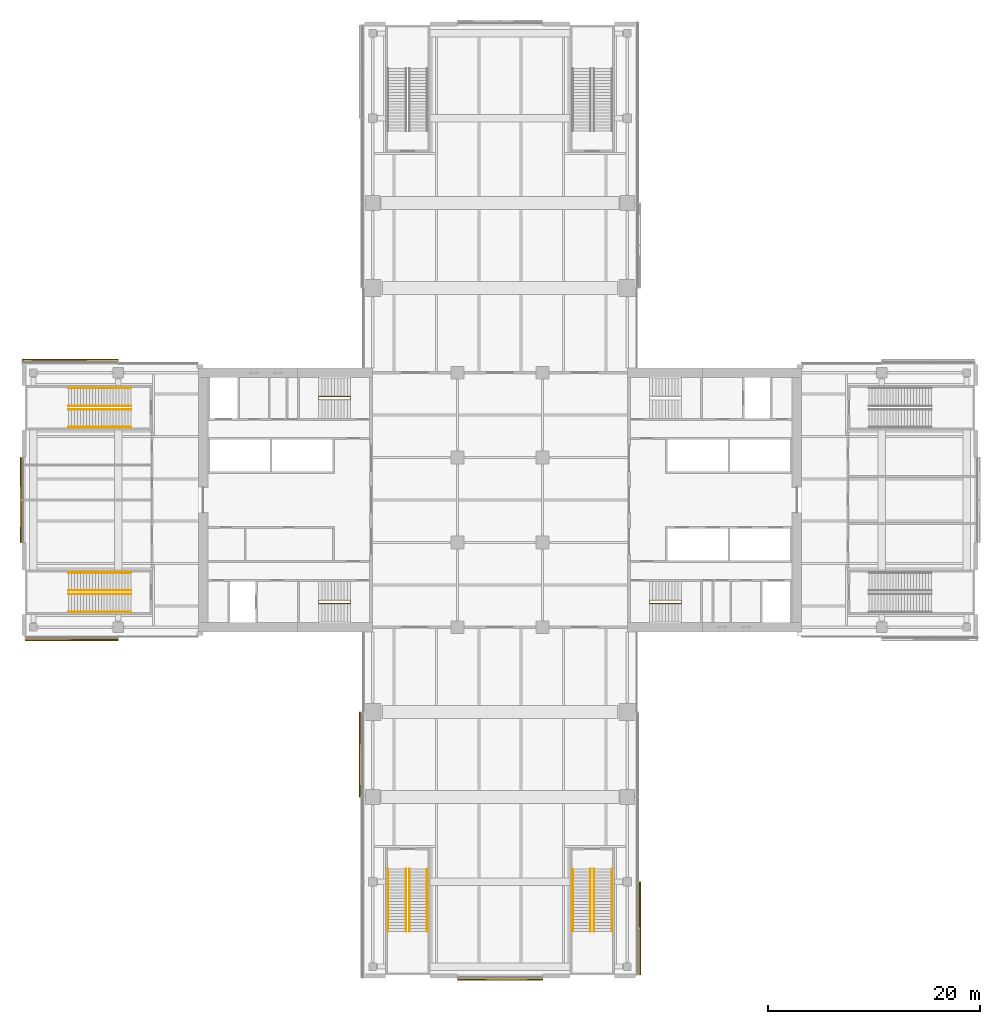
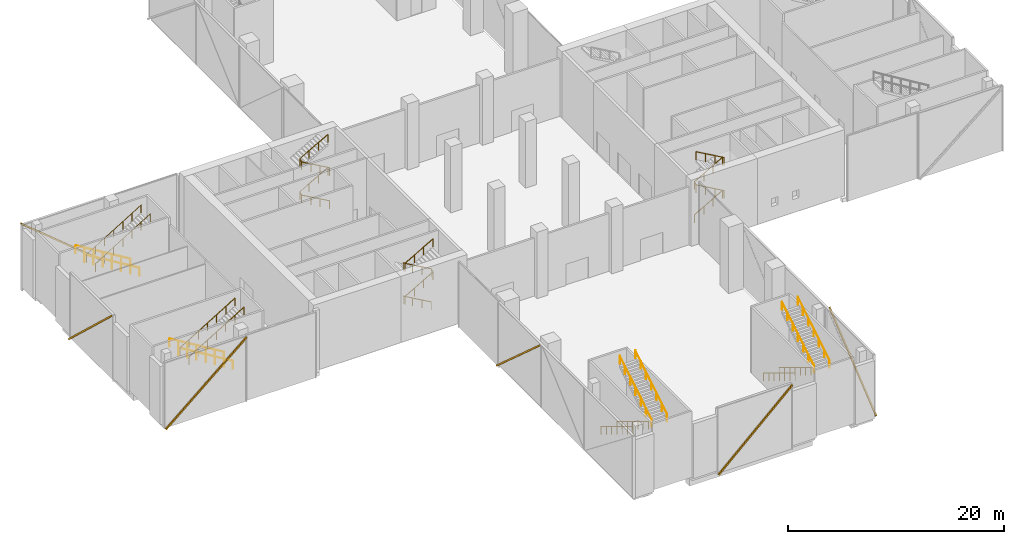
# One storey, part 24 of 25: 19 railings, 6 shading devices, 6 elements without a shape of their own.
"""IFC4 building model written with IfcOpenShell, lengths in metres."""

from ifc_helpers import new_model, si_unit, direction, frame, origin, origin_2d, place, context, subcontext, project, spatial, rectangle, circle, extrude, material, material_profile, profile_set, type_object, element, aggregate, save


model = new_model("IFC4")

# Units and contexts
model_context = context("Model", 3, precision=1e-05, world=origin(), true_north=direction((0.0, 1.0)))
body_context = subcontext(model_context, "Body", "Model", "MODEL_VIEW")
ifc_project = project(units=[si_unit("LENGTHUNIT", "METRE"), si_unit("AREAUNIT", "SQUARE_METRE"), si_unit("VOLUMEUNIT", "CUBIC_METRE"), si_unit("PLANEANGLEUNIT", "RADIAN"), si_unit("MASSUNIT", "GRAM", prefix="KILO")], contexts=[model_context])

# Site, building, storey
site_placement = place(None, origin())
site = spatial("IfcSite", under=ifc_project, at=site_placement, CompositionType="ELEMENT")
building_placement = place(site_placement, origin())
building = spatial("IfcBuilding", under=site, at=building_placement, Name="Crosswind Convention Tower", CompositionType="ELEMENT")
storey_placement = place(building_placement, frame((0.0, 0.0, 10.0)))
storey = spatial("IfcBuildingStorey", under=building, at=storey_placement, Name="L01", CompositionType="ELEMENT", Elevation=10.0)

# Railings
ifc_material_1 = material(Name="Stainless steel", Category="steel")
railing_type_1 = type_object("IfcRailingType", Name="STAIR HANDRAIL 900", PredefinedType="HANDRAIL", material=ifc_material_1)
for number, where, name in (
    (1, (114.4599609375, 65.199951171875, 0.17041015625), "Handrail S1 L01 1"),
    (2, (116.139892578125, 65.199951171875, 0.17041015625), "Handrail S1 L01 2"),
):
    element("IfcRailing", number, at=place(storey_placement, frame(where)), inside=storey, type_object=railing_type_1, Name=name, PredefinedType="HANDRAIL", context=body_context, shape_type="SweptSolid", body=[
        extrude(circle(Radius=0.02392578125, at=origin_2d()), frame((0.0, 0.0, 0.8759765625), z_axis=(0.0, -0.854164310681, 0.520003202259), x_axis=(1.0, 0.0, 0.0)), (0.0, 0.0, 1.0), 6.8837890625),
        extrude(circle(Radius=0.02099609375, at=origin_2d()), origin(), (0.0, 0.0, 1.0), 0.851806640625),
        extrude(circle(Radius=0.02099609375, at=origin_2d()), frame((0.0, -0.97998046875, 0.5966796875)), (0.0, 0.0, 1.0), 0.851806640625),
        extrude(circle(Radius=0.02099609375, at=origin_2d()), frame((0.0, -1.9599609375, 1.193115234375)), (0.0, 0.0, 1.0), 0.851806640625),
        extrude(circle(Radius=0.02099609375, at=origin_2d()), frame((0.0, -2.93994140625, 1.789794921875)), (0.0, 0.0, 1.0), 0.851806640625),
        extrude(circle(Radius=0.02099609375, at=origin_2d()), frame((0.0, -3.919921875, 2.386474609375)), (0.0, 0.0, 1.0), 0.851806640625),
        extrude(circle(Radius=0.02099609375, at=origin_2d()), frame((0.0, -4.89990234375, 2.98291015625)), (0.0, 0.0, 1.0), 0.851806640625),
        extrude(circle(Radius=0.02099609375, at=origin_2d()), frame((0.0, -5.8798828125, 3.57958984375)), (0.0, 0.0, 1.0), 0.851806640625),
    ])
for number, where, name in (
    (3, (116.4599609375, 59.320068359375, 3.92041015625), "Handrail S1 L01 3"),
    (4, (118.139892578125, 59.320068359375, 3.92041015625), "Handrail S1 L01 4"),
):
    element("IfcRailing", number, at=place(storey_placement, frame(where)), inside=storey, type_object=railing_type_1, Name=name, PredefinedType="HANDRAIL", context=body_context, shape_type="SweptSolid", body=[
        extrude(circle(Radius=0.02392578125, at=origin_2d()), frame((0.0, 0.0, 0.8759765625), z_axis=(0.0, 0.854164310681, 0.520003202259), x_axis=(-1.0, 0.0, 0.0)), (0.0, 0.0, 1.0), 6.8837890625),
        extrude(circle(Radius=0.02099609375, at=origin_2d()), origin(), (0.0, 0.0, 1.0), 0.851806640625),
        extrude(circle(Radius=0.02099609375, at=origin_2d()), frame((0.0, 0.97998046875, 0.5966796875)), (0.0, 0.0, 1.0), 0.851806640625),
        extrude(circle(Radius=0.02099609375, at=origin_2d()), frame((0.0, 1.9599609375, 1.193115234375)), (0.0, 0.0, 1.0), 0.851806640625),
        extrude(circle(Radius=0.02099609375, at=origin_2d()), frame((0.0, 2.93994140625, 1.789794921875)), (0.0, 0.0, 1.0), 0.851806640625),
        extrude(circle(Radius=0.02099609375, at=origin_2d()), frame((0.0, 3.919921875, 2.386474609375)), (0.0, 0.0, 1.0), 0.851806640625),
        extrude(circle(Radius=0.02099609375, at=origin_2d()), frame((0.0, 4.89990234375, 2.98291015625)), (0.0, 0.0, 1.0), 0.851806640625),
        extrude(circle(Radius=0.02099609375, at=origin_2d()), frame((0.0, 5.8798828125, 3.57958984375)), (0.0, 0.0, 1.0), 0.851806640625),
    ])
for number, where, name in (
    (5, (131.860107421875, 65.199951171875, 0.17041015625), "Handrail S2 L01 1"),
    (6, (133.5400390625, 65.199951171875, 0.17041015625), "Handrail S2 L01 2"),
):
    element("IfcRailing", number, at=place(storey_placement, frame(where)), inside=storey, type_object=railing_type_1, Name=name, PredefinedType="HANDRAIL", context=body_context, shape_type="SweptSolid", body=[
        extrude(circle(Radius=0.02392578125, at=origin_2d()), frame((0.0, 0.0, 0.8759765625), z_axis=(0.0, -0.854164310681, 0.520003202259), x_axis=(1.0, 0.0, 0.0)), (0.0, 0.0, 1.0), 6.8837890625),
        extrude(circle(Radius=0.02099609375, at=origin_2d()), origin(), (0.0, 0.0, 1.0), 0.851806640625),
        extrude(circle(Radius=0.02099609375, at=origin_2d()), frame((0.0, -0.97998046875, 0.5966796875)), (0.0, 0.0, 1.0), 0.851806640625),
        extrude(circle(Radius=0.02099609375, at=origin_2d()), frame((0.0, -1.9599609375, 1.193115234375)), (0.0, 0.0, 1.0), 0.851806640625),
        extrude(circle(Radius=0.02099609375, at=origin_2d()), frame((0.0, -2.93994140625, 1.789794921875)), (0.0, 0.0, 1.0), 0.851806640625),
        extrude(circle(Radius=0.02099609375, at=origin_2d()), frame((0.0, -3.919921875, 2.386474609375)), (0.0, 0.0, 1.0), 0.851806640625),
        extrude(circle(Radius=0.02099609375, at=origin_2d()), frame((0.0, -4.89990234375, 2.98291015625)), (0.0, 0.0, 1.0), 0.851806640625),
        extrude(circle(Radius=0.02099609375, at=origin_2d()), frame((0.0, -5.8798828125, 3.57958984375)), (0.0, 0.0, 1.0), 0.851806640625),
    ])
for number, where, name in (
    (7, (133.860107421875, 59.320068359375, 3.92041015625), "Handrail S2 L01 3"),
    (8, (135.5400390625, 59.320068359375, 3.92041015625), "Handrail S2 L01 4"),
):
    element("IfcRailing", number, at=place(storey_placement, frame(where)), inside=storey, type_object=railing_type_1, Name=name, PredefinedType="HANDRAIL", context=body_context, shape_type="SweptSolid", body=[
        extrude(circle(Radius=0.02392578125, at=origin_2d()), frame((0.0, 0.0, 0.8759765625), z_axis=(0.0, 0.854164310681, 0.520003202259), x_axis=(-1.0, 0.0, 0.0)), (0.0, 0.0, 1.0), 6.8837890625),
        extrude(circle(Radius=0.02099609375, at=origin_2d()), origin(), (0.0, 0.0, 1.0), 0.851806640625),
        extrude(circle(Radius=0.02099609375, at=origin_2d()), frame((0.0, 0.97998046875, 0.5966796875)), (0.0, 0.0, 1.0), 0.851806640625),
        extrude(circle(Radius=0.02099609375, at=origin_2d()), frame((0.0, 1.9599609375, 1.193115234375)), (0.0, 0.0, 1.0), 0.851806640625),
        extrude(circle(Radius=0.02099609375, at=origin_2d()), frame((0.0, 2.93994140625, 1.789794921875)), (0.0, 0.0, 1.0), 0.851806640625),
        extrude(circle(Radius=0.02099609375, at=origin_2d()), frame((0.0, 3.919921875, 2.386474609375)), (0.0, 0.0, 1.0), 0.851806640625),
        extrude(circle(Radius=0.02099609375, at=origin_2d()), frame((0.0, 4.89990234375, 2.98291015625)), (0.0, 0.0, 1.0), 0.851806640625),
        extrude(circle(Radius=0.02099609375, at=origin_2d()), frame((0.0, 5.8798828125, 3.57958984375)), (0.0, 0.0, 1.0), 0.851806640625),
    ])
for number, where, name in (
    (9, (90.199951171875, 93.139892578125, 0.17041015625), "Handrail W1 L01 1"),
    (10, (90.199951171875, 91.4599609375, 0.17041015625), "Handrail W1 L01 2"),
):
    element("IfcRailing", number, at=place(storey_placement, frame(where)), inside=storey, type_object=railing_type_1, Name=name, PredefinedType="HANDRAIL", context=body_context, shape_type="SweptSolid", body=[
        extrude(circle(Radius=0.02392578125, at=origin_2d()), frame((0.0, 0.0, 0.8759765625), z_axis=(-0.854164310681, 0.0, 0.520003202259), x_axis=(0.0, -1.0, 0.0)), (0.0, 0.0, 1.0), 6.8837890625),
        extrude(circle(Radius=0.02099609375, at=origin_2d()), origin(), (0.0, 0.0, 1.0), 0.851806640625),
        extrude(circle(Radius=0.02099609375, at=origin_2d()), frame((-0.97998046875, 0.0, 0.5966796875)), (0.0, 0.0, 1.0), 0.851806640625),
        extrude(circle(Radius=0.02099609375, at=origin_2d()), frame((-1.9599609375, 0.0, 1.193115234375)), (0.0, 0.0, 1.0), 0.851806640625),
        extrude(circle(Radius=0.02099609375, at=origin_2d()), frame((-2.93994140625, 0.0, 1.789794921875)), (0.0, 0.0, 1.0), 0.851806640625),
        extrude(circle(Radius=0.02099609375, at=origin_2d()), frame((-3.919921875, 0.0, 2.386474609375)), (0.0, 0.0, 1.0), 0.851806640625),
        extrude(circle(Radius=0.02099609375, at=origin_2d()), frame((-4.89990234375, 0.0, 2.98291015625)), (0.0, 0.0, 1.0), 0.851806640625),
        extrude(circle(Radius=0.02099609375, at=origin_2d()), frame((-5.8798828125, 0.0, 3.57958984375)), (0.0, 0.0, 1.0), 0.851806640625),
    ])
for number, where, name in (
    (11, (84.320068359375, 91.139892578125, 3.92041015625), "Handrail W1 L01 3"),
    (12, (84.320068359375, 89.4599609375, 3.92041015625), "Handrail W1 L01 4"),
):
    element("IfcRailing", number, at=place(storey_placement, frame(where)), inside=storey, type_object=railing_type_1, Name=name, PredefinedType="HANDRAIL", context=body_context, shape_type="SweptSolid", body=[
        extrude(circle(Radius=0.02392578125, at=origin_2d()), frame((0.0, 0.0, 0.8759765625), z_axis=(0.854164310681, 0.0, 0.520003202259), x_axis=(0.0, 1.0, 0.0)), (0.0, 0.0, 1.0), 6.8837890625),
        extrude(circle(Radius=0.02099609375, at=origin_2d()), origin(), (0.0, 0.0, 1.0), 0.851806640625),
        extrude(circle(Radius=0.02099609375, at=origin_2d()), frame((0.97998046875, 0.0, 0.5966796875)), (0.0, 0.0, 1.0), 0.851806640625),
        extrude(circle(Radius=0.02099609375, at=origin_2d()), frame((1.9599609375, 0.0, 1.193115234375)), (0.0, 0.0, 1.0), 0.851806640625),
        extrude(circle(Radius=0.02099609375, at=origin_2d()), frame((2.93994140625, 0.0, 1.789794921875)), (0.0, 0.0, 1.0), 0.851806640625),
        extrude(circle(Radius=0.02099609375, at=origin_2d()), frame((3.919921875, 0.0, 2.386474609375)), (0.0, 0.0, 1.0), 0.851806640625),
        extrude(circle(Radius=0.02099609375, at=origin_2d()), frame((4.89990234375, 0.0, 2.98291015625)), (0.0, 0.0, 1.0), 0.851806640625),
        extrude(circle(Radius=0.02099609375, at=origin_2d()), frame((5.8798828125, 0.0, 3.57958984375)), (0.0, 0.0, 1.0), 0.851806640625),
    ])
for number, where, name in (
    (13, (90.199951171875, 110.5400390625, 0.17041015625), "Handrail W2 L01 1"),
    (14, (90.199951171875, 108.860107421875, 0.17041015625), "Handrail W2 L01 2"),
):
    element("IfcRailing", number, at=place(storey_placement, frame(where)), inside=storey, type_object=railing_type_1, Name=name, PredefinedType="HANDRAIL", context=body_context, shape_type="SweptSolid", body=[
        extrude(circle(Radius=0.02392578125, at=origin_2d()), frame((0.0, 0.0, 0.8759765625), z_axis=(-0.854164310681, 0.0, 0.520003202259), x_axis=(0.0, -1.0, 0.0)), (0.0, 0.0, 1.0), 6.8837890625),
        extrude(circle(Radius=0.02099609375, at=origin_2d()), origin(), (0.0, 0.0, 1.0), 0.851806640625),
        extrude(circle(Radius=0.02099609375, at=origin_2d()), frame((-0.97998046875, 0.0, 0.5966796875)), (0.0, 0.0, 1.0), 0.851806640625),
        extrude(circle(Radius=0.02099609375, at=origin_2d()), frame((-1.9599609375, 0.0, 1.193115234375)), (0.0, 0.0, 1.0), 0.851806640625),
        extrude(circle(Radius=0.02099609375, at=origin_2d()), frame((-2.93994140625, 0.0, 1.789794921875)), (0.0, 0.0, 1.0), 0.851806640625),
        extrude(circle(Radius=0.02099609375, at=origin_2d()), frame((-3.919921875, 0.0, 2.386474609375)), (0.0, 0.0, 1.0), 0.851806640625),
        extrude(circle(Radius=0.02099609375, at=origin_2d()), frame((-4.89990234375, 0.0, 2.98291015625)), (0.0, 0.0, 1.0), 0.851806640625),
        extrude(circle(Radius=0.02099609375, at=origin_2d()), frame((-5.8798828125, 0.0, 3.57958984375)), (0.0, 0.0, 1.0), 0.851806640625),
    ])
for number, where, name in (
    (15, (84.320068359375, 108.5400390625, 3.92041015625), "Handrail W2 L01 3"),
    (16, (84.320068359375, 106.860107421875, 3.92041015625), "Handrail W2 L01 4"),
):
    element("IfcRailing", number, at=place(storey_placement, frame(where)), inside=storey, type_object=railing_type_1, Name=name, PredefinedType="HANDRAIL", context=body_context, shape_type="SweptSolid", body=[
        extrude(circle(Radius=0.02392578125, at=origin_2d()), frame((0.0, 0.0, 0.8759765625), z_axis=(0.854164310681, 0.0, 0.520003202259), x_axis=(0.0, 1.0, 0.0)), (0.0, 0.0, 1.0), 6.8837890625),
        extrude(circle(Radius=0.02099609375, at=origin_2d()), origin(), (0.0, 0.0, 1.0), 0.851806640625),
        extrude(circle(Radius=0.02099609375, at=origin_2d()), frame((0.97998046875, 0.0, 0.5966796875)), (0.0, 0.0, 1.0), 0.851806640625),
        extrude(circle(Radius=0.02099609375, at=origin_2d()), frame((1.9599609375, 0.0, 1.193115234375)), (0.0, 0.0, 1.0), 0.851806640625),
        extrude(circle(Radius=0.02099609375, at=origin_2d()), frame((2.93994140625, 0.0, 1.789794921875)), (0.0, 0.0, 1.0), 0.851806640625),
        extrude(circle(Radius=0.02099609375, at=origin_2d()), frame((3.919921875, 0.0, 2.386474609375)), (0.0, 0.0, 1.0), 0.851806640625),
        extrude(circle(Radius=0.02099609375, at=origin_2d()), frame((4.89990234375, 0.0, 2.98291015625)), (0.0, 0.0, 1.0), 0.851806640625),
        extrude(circle(Radius=0.02099609375, at=origin_2d()), frame((5.8798828125, 0.0, 3.57958984375)), (0.0, 0.0, 1.0), 0.851806640625),
    ])
railing_type_2 = type_object("IfcRailingType", Name="Stair handrail 900", PredefinedType="HANDRAIL", material=ifc_material_1)
railing_1_placement = place(storey_placement, frame((139.10009765625, 90.56005859375, 0.17041015625)))
element("IfcRailing", 17, at=railing_1_placement, inside=storey, type_object=railing_type_2, Name="Stair ST2 handrail L01", PredefinedType="HANDRAIL", context=body_context, shape_type="SweptSolid", body=[
    extrude(circle(Radius=0.02392578125, at=origin_2d()), frame((0.0, 0.0, 0.8759765625), z_axis=(0.869451031676, 0.0, 0.494019132744), x_axis=(0.0, 1.0, 0.0)), (0.0, 0.0, 1.0), 3.450439453125),
    extrude(circle(Radius=0.02392578125, at=origin_2d()), frame((3.0, 0.0, 2.58056640625), z_axis=(0.0, -0.882688199001, 0.469959086883), x_axis=(1.0, 0.0, 0.0)), (0.0, 0.0, 1.0), 0.362548828125),
    extrude(circle(Radius=0.02392578125, at=origin_2d()), frame((3.0, -0.320068359375, 2.7509765625), z_axis=(-0.869451031676, 0.0, 0.494019132744), x_axis=(0.0, -1.0, 0.0)), (0.0, 0.0, 1.0), 3.450439453125),
    extrude(circle(Radius=0.02392578125, at=origin_2d()), frame((0.0, -0.320068359375, 4.45556640625), z_axis=(0.0, 0.882688199001, 0.469959086883), x_axis=(-1.0, 0.0, 0.0)), (0.0, 0.0, 1.0), 0.362548828125),
    extrude(circle(Radius=0.02392578125, at=origin_2d()), frame((0.0, 0.0, 4.6259765625), z_axis=(0.869451031676, 0.0, 0.494019132744), x_axis=(0.0, 1.0, 0.0)), (0.0, 0.0, 1.0), 3.450439453125),
    extrude(circle(Radius=0.02392578125, at=origin_2d()), frame((3.0, 0.0, 6.33056640625), z_axis=(0.0, -0.882688199001, 0.469959086883), x_axis=(1.0, 0.0, 0.0)), (0.0, 0.0, 1.0), 0.362548828125),
    extrude(circle(Radius=0.02392578125, at=origin_2d()), frame((3.0, -0.320068359375, 6.5009765625), z_axis=(-0.869451031676, 0.0, 0.494019132744), x_axis=(0.0, -1.0, 0.0)), (0.0, 0.0, 1.0), 3.450439453125),
    extrude(circle(Radius=0.02099609375, at=origin_2d()), origin(), (0.0, 0.0, 1.0), 0.851806640625),
    extrude(circle(Radius=0.02099609375, at=origin_2d()), frame((1.0, 0.0, 0.568115234375)), (0.0, 0.0, 1.0), 0.851806640625),
    extrude(circle(Radius=0.02099609375, at=origin_2d()), frame((2.0, 0.0, 1.136474609375)), (0.0, 0.0, 1.0), 0.851806640625),
    extrude(circle(Radius=0.02099609375, at=origin_2d()), frame((3.0, 0.0, 1.70458984375)), (0.0, 0.0, 1.0), 0.851806640625),
    extrude(circle(Radius=0.02099609375, at=origin_2d()), frame((3.0, -0.320068359375, 1.875)), (0.0, 0.0, 1.0), 0.851806640625),
    extrude(circle(Radius=0.02099609375, at=origin_2d()), frame((2.0, -0.320068359375, 2.443115234375)), (0.0, 0.0, 1.0), 0.851806640625),
    extrude(circle(Radius=0.02099609375, at=origin_2d()), frame((1.0, -0.320068359375, 3.011474609375)), (0.0, 0.0, 1.0), 0.851806640625),
    extrude(circle(Radius=0.02099609375, at=origin_2d()), frame((0.0, -0.320068359375, 3.57958984375)), (0.0, 0.0, 1.0), 0.851806640625),
    extrude(circle(Radius=0.02099609375, at=origin_2d()), frame((0.0, 0.0, 3.75)), (0.0, 0.0, 1.0), 0.851806640625),
    extrude(circle(Radius=0.02099609375, at=origin_2d()), frame((1.0, 0.0, 4.318115234375)), (0.0, 0.0, 1.0), 0.851806640625),
    extrude(circle(Radius=0.02099609375, at=origin_2d()), frame((2.0, 0.0, 4.886474609375)), (0.0, 0.0, 1.0), 0.851806640625),
    extrude(circle(Radius=0.02099609375, at=origin_2d()), frame((3.0, 0.0, 5.45458984375)), (0.0, 0.0, 1.0), 0.851806640625),
    extrude(circle(Radius=0.02099609375, at=origin_2d()), frame((3.0, -0.320068359375, 5.625)), (0.0, 0.0, 1.0), 0.851806640625),
    extrude(circle(Radius=0.02099609375, at=origin_2d()), frame((2.0, -0.320068359375, 6.193115234375)), (0.0, 0.0, 1.0), 0.851806640625),
    extrude(circle(Radius=0.02099609375, at=origin_2d()), frame((1.0, -0.320068359375, 6.761474609375)), (0.0, 0.0, 1.0), 0.851806640625),
    extrude(circle(Radius=0.02099609375, at=origin_2d()), frame((0.0, -0.320068359375, 7.32958984375)), (0.0, 0.0, 1.0), 0.851806640625),
])
railing_2_placement = place(storey_placement, frame((110.89990234375, 90.56005859375, 0.17041015625)))
element("IfcRailing", 18, at=railing_2_placement, inside=storey, type_object=railing_type_2, Name="Stair ST3 handrail L01", PredefinedType="HANDRAIL", context=body_context, shape_type="SweptSolid", body=[
    extrude(circle(Radius=0.02392578125, at=origin_2d()), frame((0.0, 0.0, 0.8759765625), z_axis=(-0.869451031676, 0.0, 0.494019132744), x_axis=(0.0, -1.0, 0.0)), (0.0, 0.0, 1.0), 3.450439453125),
    extrude(circle(Radius=0.02392578125, at=origin_2d()), frame((-3.0, 0.0, 2.58056640625), z_axis=(0.0, -0.882688199001, 0.469959086883), x_axis=(1.0, 0.0, 0.0)), (0.0, 0.0, 1.0), 0.362548828125),
    extrude(circle(Radius=0.02392578125, at=origin_2d()), frame((-3.0, -0.320068359375, 2.7509765625), z_axis=(0.869451031676, 0.0, 0.494019132744), x_axis=(0.0, 1.0, 0.0)), (0.0, 0.0, 1.0), 3.450439453125),
    extrude(circle(Radius=0.02392578125, at=origin_2d()), frame((0.0, -0.320068359375, 4.45556640625), z_axis=(0.0, 0.882688199001, 0.469959086883), x_axis=(-1.0, 0.0, 0.0)), (0.0, 0.0, 1.0), 0.362548828125),
    extrude(circle(Radius=0.02392578125, at=origin_2d()), frame((0.0, 0.0, 4.6259765625), z_axis=(-0.869451031676, 0.0, 0.494019132744), x_axis=(0.0, -1.0, 0.0)), (0.0, 0.0, 1.0), 3.450439453125),
    extrude(circle(Radius=0.02392578125, at=origin_2d()), frame((-3.0, 0.0, 6.33056640625), z_axis=(0.0, -0.882688199001, 0.469959086883), x_axis=(1.0, 0.0, 0.0)), (0.0, 0.0, 1.0), 0.362548828125),
    extrude(circle(Radius=0.02392578125, at=origin_2d()), frame((-3.0, -0.320068359375, 6.5009765625), z_axis=(0.869451031676, 0.0, 0.494019132744), x_axis=(0.0, 1.0, 0.0)), (0.0, 0.0, 1.0), 3.450439453125),
    extrude(circle(Radius=0.02099609375, at=origin_2d()), origin(), (0.0, 0.0, 1.0), 0.851806640625),
    extrude(circle(Radius=0.02099609375, at=origin_2d()), frame((-1.0, 0.0, 0.568115234375)), (0.0, 0.0, 1.0), 0.851806640625),
    extrude(circle(Radius=0.02099609375, at=origin_2d()), frame((-2.0, 0.0, 1.136474609375)), (0.0, 0.0, 1.0), 0.851806640625),
    extrude(circle(Radius=0.02099609375, at=origin_2d()), frame((-3.0, 0.0, 1.70458984375)), (0.0, 0.0, 1.0), 0.851806640625),
    extrude(circle(Radius=0.02099609375, at=origin_2d()), frame((-3.0, -0.320068359375, 1.875)), (0.0, 0.0, 1.0), 0.851806640625),
    extrude(circle(Radius=0.02099609375, at=origin_2d()), frame((-2.0, -0.320068359375, 2.443115234375)), (0.0, 0.0, 1.0), 0.851806640625),
    extrude(circle(Radius=0.02099609375, at=origin_2d()), frame((-1.0, -0.320068359375, 3.011474609375)), (0.0, 0.0, 1.0), 0.851806640625),
    extrude(circle(Radius=0.02099609375, at=origin_2d()), frame((0.0, -0.320068359375, 3.57958984375)), (0.0, 0.0, 1.0), 0.851806640625),
    extrude(circle(Radius=0.02099609375, at=origin_2d()), frame((0.0, 0.0, 3.75)), (0.0, 0.0, 1.0), 0.851806640625),
    extrude(circle(Radius=0.02099609375, at=origin_2d()), frame((-1.0, 0.0, 4.318115234375)), (0.0, 0.0, 1.0), 0.851806640625),
    extrude(circle(Radius=0.02099609375, at=origin_2d()), frame((-2.0, 0.0, 4.886474609375)), (0.0, 0.0, 1.0), 0.851806640625),
    extrude(circle(Radius=0.02099609375, at=origin_2d()), frame((-3.0, 0.0, 5.45458984375)), (0.0, 0.0, 1.0), 0.851806640625),
    extrude(circle(Radius=0.02099609375, at=origin_2d()), frame((-3.0, -0.320068359375, 5.625)), (0.0, 0.0, 1.0), 0.851806640625),
    extrude(circle(Radius=0.02099609375, at=origin_2d()), frame((-2.0, -0.320068359375, 6.193115234375)), (0.0, 0.0, 1.0), 0.851806640625),
    extrude(circle(Radius=0.02099609375, at=origin_2d()), frame((-1.0, -0.320068359375, 6.761474609375)), (0.0, 0.0, 1.0), 0.851806640625),
    extrude(circle(Radius=0.02099609375, at=origin_2d()), frame((0.0, -0.320068359375, 7.32958984375)), (0.0, 0.0, 1.0), 0.851806640625),
])
railing_3_placement = place(storey_placement, frame((110.89990234375, 109.43994140625, 0.17041015625)))
element("IfcRailing", 19, at=railing_3_placement, inside=storey, type_object=railing_type_2, Name="Stair ST4 handrail L01", PredefinedType="HANDRAIL", context=body_context, shape_type="SweptSolid", body=[
    extrude(circle(Radius=0.02392578125, at=origin_2d()), frame((0.0, 0.0, 0.8759765625), z_axis=(-0.869451031676, 0.0, 0.494019132744), x_axis=(0.0, -1.0, 0.0)), (0.0, 0.0, 1.0), 3.450439453125),
    extrude(circle(Radius=0.02392578125, at=origin_2d()), frame((-3.0, 0.0, 2.58056640625), z_axis=(0.0, 0.882688199001, 0.469959086883), x_axis=(-1.0, 0.0, 0.0)), (0.0, 0.0, 1.0), 0.362548828125),
    extrude(circle(Radius=0.02392578125, at=origin_2d()), frame((-3.0, 0.320068359375, 2.7509765625), z_axis=(0.869451031676, 0.0, 0.494019132744), x_axis=(0.0, 1.0, 0.0)), (0.0, 0.0, 1.0), 3.450439453125),
    extrude(circle(Radius=0.02392578125, at=origin_2d()), frame((0.0, 0.320068359375, 4.45556640625), z_axis=(0.0, -0.882688199001, 0.469959086883), x_axis=(1.0, 0.0, 0.0)), (0.0, 0.0, 1.0), 0.362548828125),
    extrude(circle(Radius=0.02392578125, at=origin_2d()), frame((0.0, 0.0, 4.6259765625), z_axis=(-0.869451031676, 0.0, 0.494019132744), x_axis=(0.0, -1.0, 0.0)), (0.0, 0.0, 1.0), 3.450439453125),
    extrude(circle(Radius=0.02392578125, at=origin_2d()), frame((-3.0, 0.0, 6.33056640625), z_axis=(0.0, 0.882688199001, 0.469959086883), x_axis=(-1.0, 0.0, 0.0)), (0.0, 0.0, 1.0), 0.362548828125),
    extrude(circle(Radius=0.02392578125, at=origin_2d()), frame((-3.0, 0.320068359375, 6.5009765625), z_axis=(0.869451031676, 0.0, 0.494019132744), x_axis=(0.0, 1.0, 0.0)), (0.0, 0.0, 1.0), 3.450439453125),
    extrude(circle(Radius=0.02099609375, at=origin_2d()), origin(), (0.0, 0.0, 1.0), 0.851806640625),
    extrude(circle(Radius=0.02099609375, at=origin_2d()), frame((-1.0, 0.0, 0.568115234375)), (0.0, 0.0, 1.0), 0.851806640625),
    extrude(circle(Radius=0.02099609375, at=origin_2d()), frame((-2.0, 0.0, 1.136474609375)), (0.0, 0.0, 1.0), 0.851806640625),
    extrude(circle(Radius=0.02099609375, at=origin_2d()), frame((-3.0, 0.0, 1.70458984375)), (0.0, 0.0, 1.0), 0.851806640625),
    extrude(circle(Radius=0.02099609375, at=origin_2d()), frame((-3.0, 0.320068359375, 1.875)), (0.0, 0.0, 1.0), 0.851806640625),
    extrude(circle(Radius=0.02099609375, at=origin_2d()), frame((-2.0, 0.320068359375, 2.443115234375)), (0.0, 0.0, 1.0), 0.851806640625),
    extrude(circle(Radius=0.02099609375, at=origin_2d()), frame((-1.0, 0.320068359375, 3.011474609375)), (0.0, 0.0, 1.0), 0.851806640625),
    extrude(circle(Radius=0.02099609375, at=origin_2d()), frame((0.0, 0.320068359375, 3.57958984375)), (0.0, 0.0, 1.0), 0.851806640625),
    extrude(circle(Radius=0.02099609375, at=origin_2d()), frame((0.0, 0.0, 3.75)), (0.0, 0.0, 1.0), 0.851806640625),
    extrude(circle(Radius=0.02099609375, at=origin_2d()), frame((-1.0, 0.0, 4.318115234375)), (0.0, 0.0, 1.0), 0.851806640625),
    extrude(circle(Radius=0.02099609375, at=origin_2d()), frame((-2.0, 0.0, 4.886474609375)), (0.0, 0.0, 1.0), 0.851806640625),
    extrude(circle(Radius=0.02099609375, at=origin_2d()), frame((-3.0, 0.0, 5.45458984375)), (0.0, 0.0, 1.0), 0.851806640625),
    extrude(circle(Radius=0.02099609375, at=origin_2d()), frame((-3.0, 0.320068359375, 5.625)), (0.0, 0.0, 1.0), 0.851806640625),
    extrude(circle(Radius=0.02099609375, at=origin_2d()), frame((-2.0, 0.320068359375, 6.193115234375)), (0.0, 0.0, 1.0), 0.851806640625),
    extrude(circle(Radius=0.02099609375, at=origin_2d()), frame((-1.0, 0.320068359375, 6.761474609375)), (0.0, 0.0, 1.0), 0.851806640625),
    extrude(circle(Radius=0.02099609375, at=origin_2d()), frame((0.0, 0.320068359375, 7.32958984375)), (0.0, 0.0, 1.0), 0.851806640625),
])

# Curtain wall, shading device
ifc_material_2 = material(Name="Aluminium unitised curtain wall", Category="aluminium")
curtain_wall_type = type_object("IfcCurtainWallType", Name="PODIUM UNITISED WALL 300", PredefinedType="USERDEFINED", material=ifc_material_2)
curtain_wall_1_placement = place(storey_placement, origin())
curtain_wall_1 = element("IfcCurtainWall", 20, at=curtain_wall_1_placement, inside=storey, type_object=curtain_wall_type, Name="CW1 L01 W-N 2", ObjectType="UNITISED", PredefinedType="USERDEFINED")
ifc_material_3 = material(Name="Extruded terracotta", Category="masonry")
ifc_material_profile = material_profile(ifc_material_3, rectangle(XDim=0.139892578125, YDim=0.159912109375, at=origin_2d()), Name="TC 140X160")
ifc_profile_set = profile_set([ifc_material_profile], Name="Extruded terracotta")
shading_device_type = type_object("IfcShadingDeviceType", Name="TERRACOTTA BAGUETTE 160X140", PredefinedType="USERDEFINED", material=ifc_profile_set)
shading_device_1_placement = place(storey_placement, frame((88.9599609375, 113.194091796875, -0.39990234375), z_axis=(-0.770363050993, 0.0, 0.63760549689), x_axis=(0.0, -1.0, 0.0)))
shading_device_1 = element("IfcShadingDevice", 21, at=shading_device_1_placement, type_object=shading_device_type, Name="CW1 terracotta baguette 1", ObjectType="BAGUETTE", PredefinedType="USERDEFINED", context=body_context, shape_type="SweptSolid", body=[
    extrude(rectangle(XDim=0.139892578125, YDim=0.159912109375, at=origin_2d()), origin(), (0.0, 0.0, 1.0), 11.63720703125),
])
aggregate(curtain_wall_1, [shading_device_1])

curtain_wall_2_placement = place(storey_placement, origin())
curtain_wall_2 = element("IfcCurtainWall", 22, at=curtain_wall_2_placement, inside=storey, type_object=curtain_wall_type, Name="CW1 L01 W-TIP 1", ObjectType="UNITISED", PredefinedType="USERDEFINED")
shading_device_2_placement = place(storey_placement, frame((79.805908203125, 103.9599609375, -0.39990234375), z_axis=(0.0, -0.72976726653, 0.683695646251), x_axis=(1.0, 0.0, 0.0)))
shading_device_2 = element("IfcShadingDevice", 23, at=shading_device_2_placement, type_object=shading_device_type, Name="CW1 terracotta baguette 1", ObjectType="BAGUETTE", PredefinedType="USERDEFINED", context=body_context, shape_type="SweptSolid", body=[
    extrude(rectangle(XDim=0.139892578125, YDim=0.159912109375, at=origin_2d()), origin(), (0.0, 0.0, 1.0), 10.852783203125),
])
aggregate(curtain_wall_2, [shading_device_2])

curtain_wall_3_placement = place(storey_placement, origin())
curtain_wall_3 = element("IfcCurtainWall", 24, at=curtain_wall_3_placement, inside=storey, type_object=curtain_wall_type, Name="CW1 L01 W-S 1", ObjectType="UNITISED", PredefinedType="USERDEFINED")
shading_device_3_placement = place(storey_placement, frame((80.280029296875, 86.805908203125, -0.39990234375), z_axis=(0.760122195951, 0.0, 0.649780152992), x_axis=(0.0, 1.0, 0.0)))
shading_device_3 = element("IfcShadingDevice", 25, at=shading_device_3_placement, type_object=shading_device_type, Name="CW1 terracotta baguette 1", ObjectType="BAGUETTE", PredefinedType="USERDEFINED", context=body_context, shape_type="SweptSolid", body=[
    extrude(rectangle(XDim=0.139892578125, YDim=0.159912109375, at=origin_2d()), origin(), (0.0, 0.0, 1.0), 11.419189453125),
])
aggregate(curtain_wall_3, [shading_device_3])

curtain_wall_4_placement = place(storey_placement, origin())
curtain_wall_4 = element("IfcCurtainWall", 26, at=curtain_wall_4_placement, inside=storey, type_object=curtain_wall_type, Name="CW1 L01 S-W 1", ObjectType="UNITISED", PredefinedType="USERDEFINED")
shading_device_4_placement = place(storey_placement, frame((111.805908203125, 79.9599609375, -0.044921875), z_axis=(0.0, -0.746237988107, 0.66567925092), x_axis=(1.0, 0.0, 0.0)))
shading_device_4 = element("IfcShadingDevice", 27, at=shading_device_4_placement, type_object=shading_device_type, Name="CW1 terracotta baguette 1", ObjectType="BAGUETTE", PredefinedType="USERDEFINED", context=body_context, shape_type="SweptSolid", body=[
    extrude(rectangle(XDim=0.139892578125, YDim=0.159912109375, at=origin_2d()), origin(), (0.0, 0.0, 1.0), 10.613037109375),
])
aggregate(curtain_wall_4, [shading_device_4])

curtain_wall_5_placement = place(storey_placement, origin())
curtain_wall_5 = element("IfcCurtainWall", 28, at=curtain_wall_5_placement, inside=storey, type_object=curtain_wall_type, Name="CW1 L01 S-TIP 1", ObjectType="UNITISED", PredefinedType="USERDEFINED")
shading_device_5_placement = place(storey_placement, frame((121.0400390625, 54.805908203125, -0.39990234375), z_axis=(0.72976726653, 0.0, 0.683695646251), x_axis=(0.0, 1.0, 0.0)))
shading_device_5 = element("IfcShadingDevice", 29, at=shading_device_5_placement, type_object=shading_device_type, Name="CW1 terracotta baguette 1", ObjectType="BAGUETTE", PredefinedType="USERDEFINED", context=body_context, shape_type="SweptSolid", body=[
    extrude(rectangle(XDim=0.139892578125, YDim=0.159912109375, at=origin_2d()), origin(), (0.0, 0.0, 1.0), 10.852783203125),
])
aggregate(curtain_wall_5, [shading_device_5])

curtain_wall_6_placement = place(storey_placement, origin())
curtain_wall_6 = element("IfcCurtainWall", 30, at=curtain_wall_6_placement, inside=storey, type_object=curtain_wall_type, Name="CW1 L01 S-E 1", ObjectType="UNITISED", PredefinedType="USERDEFINED")
shading_device_6_placement = place(storey_placement, frame((138.194091796875, 55.280029296875, -0.044921875), z_axis=(0.0, 0.775567219554, 0.631264990281), x_axis=(-1.0, 0.0, 0.0)))
shading_device_6 = element("IfcShadingDevice", 31, at=shading_device_6_placement, type_object=shading_device_type, Name="CW1 terracotta baguette 1", ObjectType="BAGUETTE", PredefinedType="USERDEFINED", context=body_context, shape_type="SweptSolid", body=[
    extrude(rectangle(XDim=0.139892578125, YDim=0.159912109375, at=origin_2d()), origin(), (0.0, 0.0, 1.0), 11.191650390625),
])
aggregate(curtain_wall_6, [shading_device_6])

save(model, "model.ifc")
